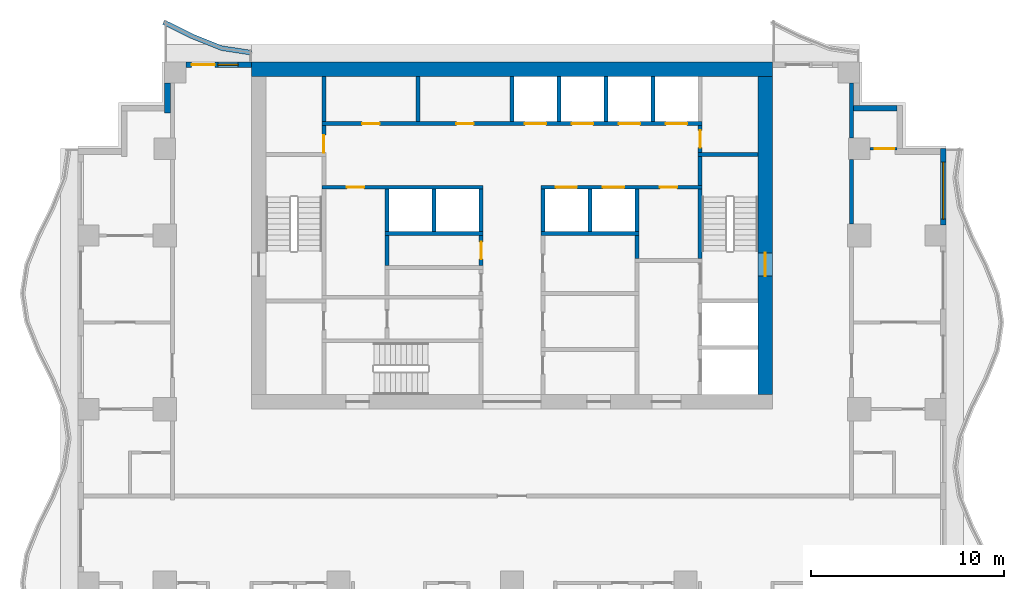
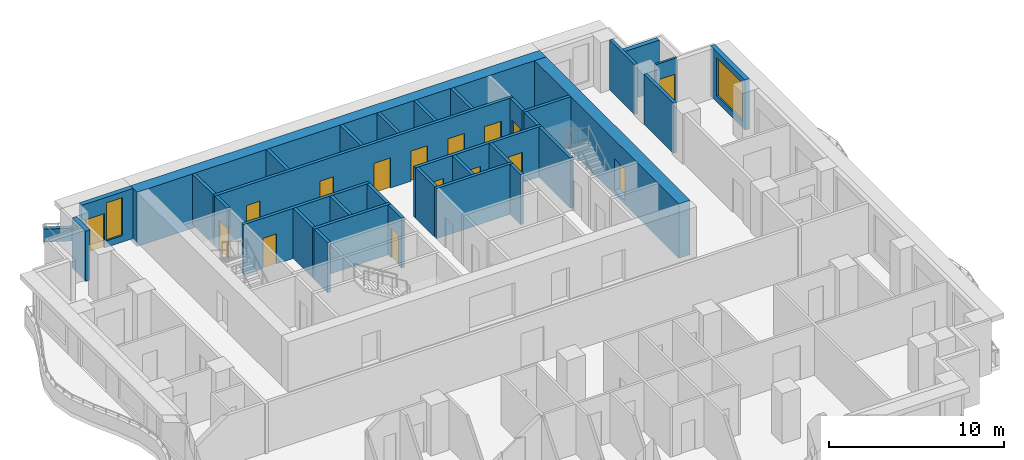
# One storey, part 5 of 10: 35 walls, 16 doors, 2 windows, 18 openings.
"""IFC4 building model written with IfcOpenShell, lengths in metres."""

from ifc_helpers import new_model, si_unit, direction, frame, frame_2d, origin, place, context, subcontext, project, spatial, polyline, rectangle, outline, extrude, material, layer, layer_set, type_object, element, fill, save


model = new_model("IFC4")

# Units and contexts
model_context = context("Model", 3, precision=1e-05, world=origin(), true_north=direction((0.0, 1.0)))
body_context = subcontext(model_context, "Body", "Model", "MODEL_VIEW")
ifc_project = project(units=[si_unit("LENGTHUNIT", "METRE"), si_unit("AREAUNIT", "SQUARE_METRE"), si_unit("VOLUMEUNIT", "CUBIC_METRE"), si_unit("PLANEANGLEUNIT", "RADIAN"), si_unit("MASSUNIT", "GRAM", prefix="KILO")], contexts=[model_context])

# Site, building, storey
site_placement = place(None, origin())
site = spatial("IfcSite", under=ifc_project, at=site_placement, CompositionType="ELEMENT")
building_placement = place(site_placement, origin())
building = spatial("IfcBuilding", under=site, at=building_placement, Name="Orbiselva Terraces", CompositionType="ELEMENT")
storey_placement = place(building_placement, frame((0.0, 0.0, 166.8)))
storey = spatial("IfcBuildingStorey", under=building, at=storey_placement, Name="L42", CompositionType="ELEMENT", Elevation=166.8)

# Wall, opening, door
ifc_material_1 = material(Name="Concrete C80/95", Category="concrete")
ifc_layer_1 = layer(ifc_material_1, 0.75)
ifc_layer_set_1 = layer_set([ifc_layer_1], Name="Concrete C80/95")
wall_type_1 = type_object("IfcWallType", Name="CORE WALL 750", PredefinedType="SHEAR", material=ifc_layer_set_1)
wall_1_placement = place(storey_placement, frame((13.125, 5.25, -0.3), z_axis=(0.0, 0.0, 1.0), x_axis=(0.0, 1.0, 0.0)))
wall_1 = element("IfcWall", 1, at=wall_1_placement, inside=storey, type_object=wall_type_1, Name="Core wall L42 east", PredefinedType="SHEAR", context=body_context, shape_type="SweptSolid", body=[
    extrude(rectangle(XDim=16.5, YDim=0.75, at=frame_2d((8.25, 0.0))), origin(), (0.0, 0.0, 1.0), 3.8),
])
opening_1_placement = place(wall_1_placement, frame((6.15, 0.0, 0.3)))
opening_1 = element("IfcOpeningElement", 2, at=opening_1_placement, cuts=wall_1, Name="Opening DS1200", PredefinedType="OPENING", context=body_context, shape_type="SweptSolid", body=[
    extrude(rectangle(XDim=1.2, YDim=2.2, at=frame_2d((0.6, 1.1))), frame((0.0, 0.385, 0.0), z_axis=(0.0, -1.0, 0.0), x_axis=(1.0, 0.0, 0.0)), (0.0, 0.0, 1.0), 0.77),
])
ifc_material_2 = material(Name="Steel fire door", Category="steel")
door_type_1 = type_object("IfcDoorType", Name="STAIR DOOR 1200", OperationType="NOTDEFINED", PredefinedType="DOOR", material=ifc_material_2)
door_1_placement = place(opening_1_placement, frame((1.2, 0.0, 0.0), z_axis=(0.0, 0.0, 1.0), x_axis=(-1.0, 0.0, 0.0)))
door_1 = element("IfcDoor", 3, at=door_1_placement, inside=storey, type_object=door_type_1, Name="L42 EXIT STAIR S2 door", OperationType="SINGLE_SWING_LEFT", OverallHeight=2.2, OverallWidth=1.2, PredefinedType="DOOR", context=body_context, shape_type="SweptSolid", body=[
    extrude(rectangle(XDim=1.2, YDim=2.2, at=frame_2d((0.6, 1.1))), frame((0.0, 0.025, 0.0), z_axis=(0.0, -1.0, 0.0), x_axis=(1.0, 0.0, 0.0)), (0.0, 0.0, 1.0), 0.05),
])
fill(opening_1, door_1)

# Wall
ifc_layer_2 = layer(ifc_material_1, 0.75)
ifc_layer_set_2 = layer_set([ifc_layer_2], Name="Concrete C80/95")
wall_type_2 = type_object("IfcWallType", Name="CORE WALL 750 EXTERNAL", PredefinedType="SHEAR", material=ifc_layer_set_2)
wall_2_placement = place(storey_placement, frame((13.5, 22.125, -0.3), z_axis=(0.0, 0.0, 1.0), x_axis=(-1.0, 0.0, 0.0)))
element("IfcWall", 4, at=wall_2_placement, inside=storey, type_object=wall_type_2, Name="Core wall L42 north", PredefinedType="SHEAR", context=body_context, shape_type="SweptSolid", body=[
    extrude(rectangle(XDim=27.0, YDim=0.75, at=frame_2d((13.5, 0.0))), origin(), (0.0, 0.0, 1.0), 3.8),
])

# Wall, opening, door
ifc_material_3 = material(Name="Masonry blockwork", Category="masonry")
ifc_layer_3 = layer(ifc_material_3, 0.2)
ifc_layer_set_3 = layer_set([ifc_layer_3], Name="Masonry blockwork")
wall_type_3 = type_object("IfcWallType", Name="CORE-WALL-PARTITION-200", PredefinedType="PARTITIONING", material=ifc_layer_set_3)
wall_3_placement = place(storey_placement, frame((-9.75, 17.8, 0.0), z_axis=(0.0, 0.0, 1.0), x_axis=(0.0, 1.0, 0.0)))
wall_3 = element("IfcWall", 5, at=wall_3_placement, inside=storey, type_object=wall_type_3, Name="L42 core wall 10", PredefinedType="PARTITIONING", context=body_context, shape_type="SweptSolid", body=[
    extrude(rectangle(XDim=1.4, YDim=0.2, at=frame_2d((0.7, 0.0))), origin(), (0.0, 0.0, 1.0), 3.5),
])
opening_2_placement = place(wall_3_placement, origin())
opening_2 = element("IfcOpeningElement", 6, at=opening_2_placement, cuts=wall_3, Name="Opening DR900", PredefinedType="OPENING", context=body_context, shape_type="SweptSolid", body=[
    extrude(rectangle(XDim=0.9, YDim=2.1, at=frame_2d((0.45, 1.05))), frame((0.0, 0.11, 0.0), z_axis=(0.0, -1.0, 0.0), x_axis=(1.0, 0.0, 0.0)), (0.0, 0.0, 1.0), 0.22),
])
door_type_2 = type_object("IfcDoorType", Name="ROOM DOOR 900", OperationType="NOTDEFINED", PredefinedType="DOOR", material=ifc_material_2)
door_2_placement = place(opening_2_placement, origin())
door_2 = element("IfcDoor", 7, at=door_2_placement, inside=storey, type_object=door_type_2, Name="L42 COMMS RISER ROOM door", OperationType="SINGLE_SWING_LEFT", OverallHeight=2.1, OverallWidth=0.9, PredefinedType="DOOR", context=body_context, shape_type="SweptSolid", body=[
    extrude(rectangle(XDim=0.9, YDim=2.1, at=frame_2d((0.45, 1.05))), frame((0.0, 0.025, 0.0), z_axis=(0.0, -1.0, 0.0), x_axis=(1.0, 0.0, 0.0)), (0.0, 0.0, 1.0), 0.05),
])
fill(opening_2, door_2)

# Walls
wall_4_placement = place(storey_placement, frame((-9.75, 19.4, 0.0), z_axis=(0.0, 0.0, 1.0), x_axis=(0.0, 1.0, 0.0)))
element("IfcWall", 8, at=wall_4_placement, inside=storey, type_object=wall_type_3, Name="L42 core wall 12", PredefinedType="PARTITIONING", context=body_context, shape_type="SweptSolid", body=[
    extrude(rectangle(XDim=2.35, YDim=0.2, at=frame_2d((1.175, 0.0))), origin(), (0.0, 0.0, 1.0), 3.5),
])
wall_5_placement = place(storey_placement, frame((-6.475, 11.95, 0.0), z_axis=(0.0, 0.0, 1.0), x_axis=(0.0, 1.0, 0.0)))
element("IfcWall", 9, at=wall_5_placement, inside=storey, type_object=wall_type_3, Name="L42 core wall 16", PredefinedType="PARTITIONING", context=body_context, shape_type="SweptSolid", body=[
    extrude(rectangle(XDim=1.55, YDim=0.2, at=frame_2d((0.775, 0.0))), origin(), (0.0, 0.0, 1.0), 3.5),
])
wall_6_placement = place(storey_placement, frame((-4.875, 19.4, 0.0), z_axis=(0.0, 0.0, 1.0), x_axis=(0.0, 1.0, 0.0)))
element("IfcWall", 10, at=wall_6_placement, inside=storey, type_object=wall_type_3, Name="L42 core wall 19", PredefinedType="PARTITIONING", context=body_context, shape_type="SweptSolid", body=[
    extrude(rectangle(XDim=2.35, YDim=0.2, at=frame_2d((1.175, 0.0))), origin(), (0.0, 0.0, 1.0), 3.5),
])

# Wall, opening, door
wall_7_placement = place(storey_placement, frame((-1.6, 11.95, 0.0), z_axis=(0.0, 0.0, 1.0), x_axis=(0.0, 1.0, 0.0)))
wall_7 = element("IfcWall", 11, at=wall_7_placement, inside=storey, type_object=wall_type_3, Name="L42 core wall 24", PredefinedType="PARTITIONING", context=body_context, shape_type="SweptSolid", body=[
    extrude(rectangle(XDim=1.55, YDim=0.2, at=frame_2d((0.775, 0.0))), origin(), (0.0, 0.0, 1.0), 3.5),
])
opening_3_placement = place(wall_7_placement, frame((0.325, 0.0, 0.0)))
opening_3 = element("IfcOpeningElement", 12, at=opening_3_placement, cuts=wall_7, Name="Opening DR900", PredefinedType="OPENING", context=body_context, shape_type="SweptSolid", body=[
    extrude(rectangle(XDim=0.9, YDim=2.1, at=frame_2d((0.45, 1.05))), frame((0.0, 0.11, 0.0), z_axis=(0.0, -1.0, 0.0), x_axis=(1.0, 0.0, 0.0)), (0.0, 0.0, 1.0), 0.22),
])
door_3_placement = place(opening_3_placement, origin())
door_3 = element("IfcDoor", 13, at=door_3_placement, inside=storey, type_object=door_type_2, Name="L42 LINEN STORE door", OperationType="SINGLE_SWING_LEFT", OverallHeight=2.1, OverallWidth=0.9, PredefinedType="DOOR", context=body_context, shape_type="SweptSolid", body=[
    extrude(rectangle(XDim=0.9, YDim=2.1, at=frame_2d((0.45, 1.05))), frame((0.0, 0.025, 0.0), z_axis=(0.0, -1.0, 0.0), x_axis=(1.0, 0.0, 0.0)), (0.0, 0.0, 1.0), 0.05),
])
fill(opening_3, door_3)

# Wall
wall_8_placement = place(storey_placement, frame((6.475, 12.3, 0.0), z_axis=(0.0, 0.0, 1.0), x_axis=(0.0, 1.0, 0.0)))
element("IfcWall", 14, at=wall_8_placement, inside=storey, type_object=wall_type_3, Name="L42 core wall 42", PredefinedType="PARTITIONING", context=body_context, shape_type="SweptSolid", body=[
    extrude(rectangle(XDim=1.2, YDim=0.2, at=frame_2d((0.6, 0.0))), origin(), (0.0, 0.0, 1.0), 3.5),
])

# Wall, opening, door
wall_9_placement = place(storey_placement, frame((9.75, 19.2, 0.0), z_axis=(0.0, 0.0, 1.0), x_axis=(0.0, -1.0, 0.0)))
wall_9 = element("IfcWall", 15, at=wall_9_placement, inside=storey, type_object=wall_type_3, Name="L42 core wall 53", PredefinedType="PARTITIONING", context=body_context, shape_type="SweptSolid", body=[
    extrude(rectangle(XDim=1.4, YDim=0.2, at=frame_2d((0.7, 0.0))), origin(), (0.0, 0.0, 1.0), 3.5),
])
opening_4_placement = place(wall_9_placement, frame((0.25, 0.0, 0.0)))
opening_4 = element("IfcOpeningElement", 16, at=opening_4_placement, cuts=wall_9, Name="Opening DR900", PredefinedType="OPENING", context=body_context, shape_type="SweptSolid", body=[
    extrude(rectangle(XDim=0.9, YDim=2.1, at=frame_2d((0.45, 1.05))), frame((0.0, 0.11, 0.0), z_axis=(0.0, -1.0, 0.0), x_axis=(1.0, 0.0, 0.0)), (0.0, 0.0, 1.0), 0.22),
])
door_4_placement = place(opening_4_placement, origin())
door_4 = element("IfcDoor", 17, at=door_4_placement, inside=storey, type_object=door_type_2, Name="L42 ELECTRICAL RISER ROOM door", OperationType="SINGLE_SWING_RIGHT", OverallHeight=2.1, OverallWidth=0.9, PredefinedType="DOOR", context=body_context, shape_type="SweptSolid", body=[
    extrude(rectangle(XDim=0.9, YDim=2.1, at=frame_2d((0.45, 1.05))), frame((0.0, 0.025, 0.0), z_axis=(0.0, -1.0, 0.0), x_axis=(1.0, 0.0, 0.0)), (0.0, 0.0, 1.0), 0.05),
])
fill(opening_4, door_4)

# Walls
ifc_material_4 = material(Name="Concrete C40/50", Category="concrete")
ifc_layer_4 = layer(ifc_material_4, 0.2)
ifc_layer_set_4 = layer_set([ifc_layer_4], Name="Concrete C40/50")
wall_type_4 = type_object("IfcWallType", Name="CORE-WALL-SHAFT-200", PredefinedType="PARTITIONING", material=ifc_layer_set_4)
for number, where, z_axis, x_axis, name in (
    (18, (-6.475, 13.7, 0.0), (0.0, 0.0, 1.0), (0.0, 1.0, 0.0), "L42 core wall 18"),
    (19, (-4.0375, 13.7, 0.0), (0.0, 0.0, 1.0), (0.0, 1.0, 0.0), "L42 core wall 20"),
    (20, (-1.6, 13.7, 0.0), (0.0, 0.0, 1.0), (0.0, 1.0, 0.0), "L42 core wall 25"),
):
    element("IfcWall", number, at=place(storey_placement, frame(where, z_axis=z_axis, x_axis=x_axis)), inside=storey, type_object=wall_type_4, Name=name, PredefinedType="PARTITIONING", context=body_context, shape_type="SweptSolid", body=[
        extrude(rectangle(XDim=2.2, YDim=0.2, at=frame_2d((1.1, 0.0))), origin(), (0.0, 0.0, 1.0), 3.5),
    ])
wall_10_placement = place(storey_placement, frame((0.0, 19.4, 0.0), z_axis=(0.0, 0.0, 1.0), x_axis=(0.0, 1.0, 0.0)))
element("IfcWall", 21, at=wall_10_placement, inside=storey, type_object=wall_type_4, Name="L42 core wall 26", PredefinedType="PARTITIONING", context=body_context, shape_type="SweptSolid", body=[
    extrude(rectangle(XDim=2.35, YDim=0.2, at=frame_2d((1.175, 0.0))), origin(), (0.0, 0.0, 1.0), 3.5),
])
wall_11_placement = place(storey_placement, frame((1.6, 13.7, 0.0), z_axis=(0.0, 0.0, 1.0), x_axis=(0.0, 1.0, 0.0)))
element("IfcWall", 22, at=wall_11_placement, inside=storey, type_object=wall_type_4, Name="L42 core wall 33", PredefinedType="PARTITIONING", context=body_context, shape_type="SweptSolid", body=[
    extrude(rectangle(XDim=2.2, YDim=0.2, at=frame_2d((1.1, 0.0))), origin(), (0.0, 0.0, 1.0), 3.5),
])
wall_12_placement = place(storey_placement, frame((2.4375, 19.4, 0.0), z_axis=(0.0, 0.0, 1.0), x_axis=(0.0, 1.0, 0.0)))
element("IfcWall", 23, at=wall_12_placement, inside=storey, type_object=wall_type_4, Name="L42 core wall 35", PredefinedType="PARTITIONING", context=body_context, shape_type="SweptSolid", body=[
    extrude(rectangle(XDim=2.35, YDim=0.2, at=frame_2d((1.175, 0.0))), origin(), (0.0, 0.0, 1.0), 3.5),
])
wall_13_placement = place(storey_placement, frame((4.0375, 13.7, 0.0), z_axis=(0.0, 0.0, 1.0), x_axis=(0.0, 1.0, 0.0)))
element("IfcWall", 24, at=wall_13_placement, inside=storey, type_object=wall_type_4, Name="L42 core wall 36", PredefinedType="PARTITIONING", context=body_context, shape_type="SweptSolid", body=[
    extrude(rectangle(XDim=2.2, YDim=0.2, at=frame_2d((1.1, 0.0))), origin(), (0.0, 0.0, 1.0), 3.5),
])
wall_14_placement = place(storey_placement, frame((4.875, 19.4, 0.0), z_axis=(0.0, 0.0, 1.0), x_axis=(0.0, 1.0, 0.0)))
element("IfcWall", 25, at=wall_14_placement, inside=storey, type_object=wall_type_4, Name="L42 core wall 37", PredefinedType="PARTITIONING", context=body_context, shape_type="SweptSolid", body=[
    extrude(rectangle(XDim=2.35, YDim=0.2, at=frame_2d((1.175, 0.0))), origin(), (0.0, 0.0, 1.0), 3.5),
])
wall_15_placement = place(storey_placement, frame((6.475, 13.7, 0.0), z_axis=(0.0, 0.0, 1.0), x_axis=(0.0, 1.0, 0.0)))
element("IfcWall", 26, at=wall_15_placement, inside=storey, type_object=wall_type_4, Name="L42 core wall 43", PredefinedType="PARTITIONING", context=body_context, shape_type="SweptSolid", body=[
    extrude(rectangle(XDim=2.2, YDim=0.2, at=frame_2d((1.1, 0.0))), origin(), (0.0, 0.0, 1.0), 3.5),
])
wall_16_placement = place(storey_placement, frame((7.3125, 19.4, 0.0), z_axis=(0.0, 0.0, 1.0), x_axis=(0.0, 1.0, 0.0)))
element("IfcWall", 27, at=wall_16_placement, inside=storey, type_object=wall_type_4, Name="L42 core wall 44", PredefinedType="PARTITIONING", context=body_context, shape_type="SweptSolid", body=[
    extrude(rectangle(XDim=2.35, YDim=0.2, at=frame_2d((1.175, 0.0))), origin(), (0.0, 0.0, 1.0), 3.5),
])

# Wall, opening, door
ifc_material_5 = material(Name="Concrete C60/75", Category="concrete")
ifc_layer_5 = layer(ifc_material_5, 0.2)
ifc_layer_set_5 = layer_set([ifc_layer_5], Name="Concrete C60/75")
wall_type_5 = type_object("IfcWallType", Name="CORE-WALL-SHEAR-200", PredefinedType="SHEAR", material=ifc_layer_set_5)
wall_17_placement = place(storey_placement, frame((-1.5, 16.0, 0.0), z_axis=(0.0, 0.0, 1.0), x_axis=(-1.0, 0.0, 0.0)))
wall_17 = element("IfcWall", 28, at=wall_17_placement, inside=storey, type_object=wall_type_5, Name="L42 core wall 08", PredefinedType="SHEAR", context=body_context, shape_type="SweptSolid", body=[
    extrude(rectangle(XDim=8.35, YDim=0.2, at=frame_2d((4.175, 0.0))), origin(), (0.0, 0.0, 1.0), 3.5),
])
opening_5_placement = place(wall_17_placement, frame((6.1625, 0.0, 0.0)))
opening_5 = element("IfcOpeningElement", 29, at=opening_5_placement, cuts=wall_17, Name="Opening DR900", PredefinedType="OPENING", context=body_context, shape_type="SweptSolid", body=[
    extrude(rectangle(XDim=0.9, YDim=2.1, at=frame_2d((0.45, 1.05))), frame((0.0, 0.11, 0.0), z_axis=(0.0, -1.0, 0.0), x_axis=(1.0, 0.0, 0.0)), (0.0, 0.0, 1.0), 0.22),
])
door_5_placement = place(opening_5_placement, origin())
door_5 = element("IfcDoor", 30, at=door_5_placement, inside=storey, type_object=door_type_2, Name="L42 GUEST PANTRY door", OperationType="SINGLE_SWING_RIGHT", OverallHeight=2.1, OverallWidth=0.9, PredefinedType="DOOR", context=body_context, shape_type="SweptSolid", body=[
    extrude(rectangle(XDim=0.9, YDim=2.1, at=frame_2d((0.45, 1.05))), frame((0.0, 0.025, 0.0), z_axis=(0.0, -1.0, 0.0), x_axis=(1.0, 0.0, 0.0)), (0.0, 0.0, 1.0), 0.05),
])
fill(opening_5, door_5)

# Wall, openings, doors
wall_18_placement = place(storey_placement, frame((-9.85, 19.3, 0.0), z_axis=(0.0, 0.0, 1.0), x_axis=(1.0, 0.0, 0.0)))
wall_18 = element("IfcWall", 31, at=wall_18_placement, inside=storey, type_object=wall_type_5, Name="L42 core wall 11", PredefinedType="SHEAR", context=body_context, shape_type="SweptSolid", body=[
    extrude(rectangle(XDim=19.7, YDim=0.2, at=frame_2d((9.85, 0.0))), origin(), (0.0, 0.0, 1.0), 3.5),
])
opening_6_placement = place(wall_18_placement, frame((10.51875, 0.0, 0.0)))
opening_6 = element("IfcOpeningElement", 32, at=opening_6_placement, cuts=wall_18, Name="Opening LD-HR1", PredefinedType="OPENING", context=body_context, shape_type="SweptSolid", body=[
    extrude(rectangle(XDim=1.1, YDim=2.1, at=frame_2d((0.55, 1.05))), frame((0.0, 0.11, 0.0), z_axis=(0.0, -1.0, 0.0), x_axis=(1.0, 0.0, 0.0)), (0.0, 0.0, 1.0), 0.22),
])
opening_7_placement = place(wall_18_placement, frame((12.95625, 0.0, 0.0)))
opening_7 = element("IfcOpeningElement", 33, at=opening_7_placement, cuts=wall_18, Name="Opening LD-HR2", PredefinedType="OPENING", context=body_context, shape_type="SweptSolid", body=[
    extrude(rectangle(XDim=1.1, YDim=2.1, at=frame_2d((0.55, 1.05))), frame((0.0, 0.11, 0.0), z_axis=(0.0, -1.0, 0.0), x_axis=(1.0, 0.0, 0.0)), (0.0, 0.0, 1.0), 0.22),
])
opening_8_placement = place(wall_18_placement, frame((15.39375, 0.0, 0.0)))
opening_8 = element("IfcOpeningElement", 34, at=opening_8_placement, cuts=wall_18, Name="Opening LD-HR3", PredefinedType="OPENING", context=body_context, shape_type="SweptSolid", body=[
    extrude(rectangle(XDim=1.1, YDim=2.1, at=frame_2d((0.55, 1.05))), frame((0.0, 0.11, 0.0), z_axis=(0.0, -1.0, 0.0), x_axis=(1.0, 0.0, 0.0)), (0.0, 0.0, 1.0), 0.22),
])
opening_9_placement = place(wall_18_placement, frame((17.83125, 0.0, 0.0)))
opening_9 = element("IfcOpeningElement", 35, at=opening_9_placement, cuts=wall_18, Name="Opening LD-HR4", PredefinedType="OPENING", context=body_context, shape_type="SweptSolid", body=[
    extrude(rectangle(XDim=1.1, YDim=2.1, at=frame_2d((0.55, 1.05))), frame((0.0, 0.11, 0.0), z_axis=(0.0, -1.0, 0.0), x_axis=(1.0, 0.0, 0.0)), (0.0, 0.0, 1.0), 0.22),
])
opening_10_placement = place(wall_18_placement, frame((2.0875, 0.0, 0.0)))
opening_10 = element("IfcOpeningElement", 36, at=opening_10_placement, cuts=wall_18, Name="Opening DR900", PredefinedType="OPENING", context=body_context, shape_type="SweptSolid", body=[
    extrude(rectangle(XDim=0.9, YDim=2.1, at=frame_2d((0.45, 1.05))), frame((0.0, 0.11, 0.0), z_axis=(0.0, -1.0, 0.0), x_axis=(1.0, 0.0, 0.0)), (0.0, 0.0, 1.0), 0.22),
])
opening_11_placement = place(wall_18_placement, frame((6.9625, 0.0, 0.0)))
opening_11 = element("IfcOpeningElement", 37, at=opening_11_placement, cuts=wall_18, Name="Opening DR900", PredefinedType="OPENING", context=body_context, shape_type="SweptSolid", body=[
    extrude(rectangle(XDim=0.9, YDim=2.1, at=frame_2d((0.45, 1.05))), frame((0.0, 0.11, 0.0), z_axis=(0.0, -1.0, 0.0), x_axis=(1.0, 0.0, 0.0)), (0.0, 0.0, 1.0), 0.22),
])
ifc_material_6 = material(Name="Stainless steel landing door", Category="steel")
door_type_3 = type_object("IfcDoorType", Name="LANDING DOOR 1100", OperationType="SLIDING_TO_LEFT", PredefinedType="DOOR", material=ifc_material_6)
door_6_placement = place(opening_6_placement, origin())
door_6 = element("IfcDoor", 38, at=door_6_placement, inside=storey, type_object=door_type_3, Name="L42 landing door HR1", OperationType="SLIDING_TO_RIGHT", OverallHeight=2.1, OverallWidth=1.1, PredefinedType="DOOR", context=body_context, shape_type="SweptSolid", body=[
    extrude(rectangle(XDim=1.1, YDim=2.1, at=frame_2d((0.55, 1.05))), frame((0.0, 0.025, 0.0), z_axis=(0.0, -1.0, 0.0), x_axis=(1.0, 0.0, 0.0)), (0.0, 0.0, 1.0), 0.05),
])
fill(opening_6, door_6)
door_7_placement = place(opening_7_placement, origin())
door_7 = element("IfcDoor", 39, at=door_7_placement, inside=storey, type_object=door_type_3, Name="L42 landing door HR2", OperationType="SLIDING_TO_RIGHT", OverallHeight=2.1, OverallWidth=1.1, PredefinedType="DOOR", context=body_context, shape_type="SweptSolid", body=[
    extrude(rectangle(XDim=1.1, YDim=2.1, at=frame_2d((0.55, 1.05))), frame((0.0, 0.025, 0.0), z_axis=(0.0, -1.0, 0.0), x_axis=(1.0, 0.0, 0.0)), (0.0, 0.0, 1.0), 0.05),
])
fill(opening_7, door_7)
door_8_placement = place(opening_8_placement, origin())
door_8 = element("IfcDoor", 40, at=door_8_placement, inside=storey, type_object=door_type_3, Name="L42 landing door HR3", OperationType="SLIDING_TO_RIGHT", OverallHeight=2.1, OverallWidth=1.1, PredefinedType="DOOR", context=body_context, shape_type="SweptSolid", body=[
    extrude(rectangle(XDim=1.1, YDim=2.1, at=frame_2d((0.55, 1.05))), frame((0.0, 0.025, 0.0), z_axis=(0.0, -1.0, 0.0), x_axis=(1.0, 0.0, 0.0)), (0.0, 0.0, 1.0), 0.05),
])
fill(opening_8, door_8)
door_9_placement = place(opening_9_placement, origin())
door_9 = element("IfcDoor", 41, at=door_9_placement, inside=storey, type_object=door_type_3, Name="L42 landing door HR4", OperationType="SLIDING_TO_RIGHT", OverallHeight=2.1, OverallWidth=1.1, PredefinedType="DOOR", context=body_context, shape_type="SweptSolid", body=[
    extrude(rectangle(XDim=1.1, YDim=2.1, at=frame_2d((0.55, 1.05))), frame((0.0, 0.025, 0.0), z_axis=(0.0, -1.0, 0.0), x_axis=(1.0, 0.0, 0.0)), (0.0, 0.0, 1.0), 0.05),
])
fill(opening_9, door_9)
door_10_placement = place(opening_10_placement, origin())
door_10 = element("IfcDoor", 42, at=door_10_placement, inside=storey, type_object=door_type_2, Name="L42 PANTRY door", OperationType="SINGLE_SWING_LEFT", OverallHeight=2.1, OverallWidth=0.9, PredefinedType="DOOR", context=body_context, shape_type="SweptSolid", body=[
    extrude(rectangle(XDim=0.9, YDim=2.1, at=frame_2d((0.45, 1.05))), frame((0.0, 0.025, 0.0), z_axis=(0.0, -1.0, 0.0), x_axis=(1.0, 0.0, 0.0)), (0.0, 0.0, 1.0), 0.05),
])
fill(opening_10, door_10)
door_11_placement = place(opening_11_placement, origin())
door_11 = element("IfcDoor", 43, at=door_11_placement, inside=storey, type_object=door_type_2, Name="L42 STAFF LOUNGE door", OperationType="SINGLE_SWING_LEFT", OverallHeight=2.1, OverallWidth=0.9, PredefinedType="DOOR", context=body_context, shape_type="SweptSolid", body=[
    extrude(rectangle(XDim=0.9, YDim=2.1, at=frame_2d((0.45, 1.05))), frame((0.0, 0.025, 0.0), z_axis=(0.0, -1.0, 0.0), x_axis=(1.0, 0.0, 0.0)), (0.0, 0.0, 1.0), 0.05),
])
fill(opening_11, door_11)

# Walls
for number, where, z_axis, x_axis, name in (
    (44, (-6.575, 13.6, 0.0), (0.0, 0.0, 1.0), (1.0, 0.0, 0.0), "L42 core wall 17"),
    (45, (1.5, 13.6, 0.0), (0.0, 0.0, 1.0), (1.0, 0.0, 0.0), "L42 core wall 32"),
):
    element("IfcWall", number, at=place(storey_placement, frame(where, z_axis=z_axis, x_axis=x_axis)), inside=storey, type_object=wall_type_5, Name=name, PredefinedType="SHEAR", context=body_context, shape_type="SweptSolid", body=[
        extrude(rectangle(XDim=5.075, YDim=0.2, at=frame_2d((2.5375, 0.0))), origin(), (0.0, 0.0, 1.0), 3.5),
    ])

# Wall, openings, doors
wall_19_placement = place(storey_placement, frame((9.85, 16.0, 0.0), z_axis=(0.0, 0.0, 1.0), x_axis=(-1.0, 0.0, 0.0)))
wall_19 = element("IfcWall", 46, at=wall_19_placement, inside=storey, type_object=wall_type_5, Name="L42 core wall 34", PredefinedType="SHEAR", context=body_context, shape_type="SweptSolid", body=[
    extrude(rectangle(XDim=8.35, YDim=0.2, at=frame_2d((4.175, 0.0))), origin(), (0.0, 0.0, 1.0), 3.5),
])
opening_12_placement = place(wall_19_placement, frame((6.48125, 0.0, 0.0)))
opening_12 = element("IfcOpeningElement", 47, at=opening_12_placement, cuts=wall_19, Name="Opening LD-HR5", PredefinedType="OPENING", context=body_context, shape_type="SweptSolid", body=[
    extrude(rectangle(XDim=1.1, YDim=2.1, at=frame_2d((0.55, 1.05))), frame((0.0, 0.11, 0.0), z_axis=(0.0, -1.0, 0.0), x_axis=(1.0, 0.0, 0.0)), (0.0, 0.0, 1.0), 0.22),
])
opening_13_placement = place(wall_19_placement, frame((4.04375, 0.0, 0.0)))
opening_13 = element("IfcOpeningElement", 48, at=opening_13_placement, cuts=wall_19, Name="Opening LD-HR6", PredefinedType="OPENING", context=body_context, shape_type="SweptSolid", body=[
    extrude(rectangle(XDim=1.1, YDim=2.1, at=frame_2d((0.55, 1.05))), frame((0.0, 0.11, 0.0), z_axis=(0.0, -1.0, 0.0), x_axis=(1.0, 0.0, 0.0)), (0.0, 0.0, 1.0), 0.22),
])
opening_14_placement = place(wall_19_placement, frame((1.2875, 0.0, 0.0)))
opening_14 = element("IfcOpeningElement", 49, at=opening_14_placement, cuts=wall_19, Name="Opening DR900", PredefinedType="OPENING", context=body_context, shape_type="SweptSolid", body=[
    extrude(rectangle(XDim=0.9, YDim=2.1, at=frame_2d((0.45, 1.05))), frame((0.0, 0.11, 0.0), z_axis=(0.0, -1.0, 0.0), x_axis=(1.0, 0.0, 0.0)), (0.0, 0.0, 1.0), 0.22),
])
door_12_placement = place(opening_12_placement, origin())
door_12 = element("IfcDoor", 50, at=door_12_placement, inside=storey, type_object=door_type_3, Name="L42 landing door HR5", OperationType="SLIDING_TO_RIGHT", OverallHeight=2.1, OverallWidth=1.1, PredefinedType="DOOR", context=body_context, shape_type="SweptSolid", body=[
    extrude(rectangle(XDim=1.1, YDim=2.1, at=frame_2d((0.55, 1.05))), frame((0.0, 0.025, 0.0), z_axis=(0.0, -1.0, 0.0), x_axis=(1.0, 0.0, 0.0)), (0.0, 0.0, 1.0), 0.05),
])
fill(opening_12, door_12)
door_13_placement = place(opening_13_placement, origin())
door_13 = element("IfcDoor", 51, at=door_13_placement, inside=storey, type_object=door_type_3, Name="L42 landing door HR6", OperationType="SLIDING_TO_RIGHT", OverallHeight=2.1, OverallWidth=1.1, PredefinedType="DOOR", context=body_context, shape_type="SweptSolid", body=[
    extrude(rectangle(XDim=1.1, YDim=2.1, at=frame_2d((0.55, 1.05))), frame((0.0, 0.025, 0.0), z_axis=(0.0, -1.0, 0.0), x_axis=(1.0, 0.0, 0.0)), (0.0, 0.0, 1.0), 0.05),
])
fill(opening_13, door_13)
door_14_placement = place(opening_14_placement, origin())
door_14 = element("IfcDoor", 52, at=door_14_placement, inside=storey, type_object=door_type_2, Name="L42 PIPE RISER ROOM door", OperationType="SINGLE_SWING_LEFT", OverallHeight=2.1, OverallWidth=0.9, PredefinedType="DOOR", context=body_context, shape_type="SweptSolid", body=[
    extrude(rectangle(XDim=0.9, YDim=2.1, at=frame_2d((0.45, 1.05))), frame((0.0, 0.025, 0.0), z_axis=(0.0, -1.0, 0.0), x_axis=(1.0, 0.0, 0.0)), (0.0, 0.0, 1.0), 0.05),
])
fill(opening_14, door_14)

# Walls
wall_20_placement = place(storey_placement, frame((9.75, 12.3, 0.0), z_axis=(0.0, 0.0, 1.0), x_axis=(0.0, 1.0, 0.0)))
element("IfcWall", 53, at=wall_20_placement, inside=storey, type_object=wall_type_5, Name="L42 core wall 50", PredefinedType="SHEAR", context=body_context, shape_type="SweptSolid", body=[
    extrude(rectangle(XDim=3.6, YDim=0.2, at=frame_2d((1.8, 0.0))), origin(), (0.0, 0.0, 1.0), 3.5),
])
wall_21_placement = place(storey_placement, frame((9.75, 16.1, 0.0), z_axis=(0.0, 0.0, 1.0), x_axis=(0.0, 1.0, 0.0)))
element("IfcWall", 54, at=wall_21_placement, inside=storey, type_object=wall_type_5, Name="L42 core wall 51", PredefinedType="SHEAR", context=body_context, shape_type="SweptSolid", body=[
    extrude(rectangle(XDim=1.5, YDim=0.2, at=frame_2d((0.75, 0.0))), origin(), (0.0, 0.0, 1.0), 3.5),
])
wall_22_placement = place(storey_placement, frame((9.65, 17.7, 0.0), z_axis=(0.0, 0.0, 1.0), x_axis=(1.0, 0.0, 0.0)))
element("IfcWall", 55, at=wall_22_placement, inside=storey, type_object=wall_type_5, Name="L42 core wall 52", PredefinedType="SHEAR", context=body_context, shape_type="SweptSolid", body=[
    extrude(rectangle(XDim=3.1, YDim=0.2, at=frame_2d((1.55, 0.0))), origin(), (0.0, 0.0, 1.0), 3.5),
])
ifc_layer_6 = layer(ifc_material_4, 0.25)
ifc_layer_set_6 = layer_set([ifc_layer_6], Name="Concrete C40/50")
wall_type_6 = type_object("IfcWallType", Name="ENV-PLANTER-250x900", PredefinedType="USERDEFINED", material=ifc_layer_set_6)
wall_23_placement = place(storey_placement, origin())
element("IfcWall", 56, at=wall_23_placement, inside=storey, type_object=wall_type_6, Name="Balcony planter L42 NW", ObjectType="PLANTER", PredefinedType="USERDEFINED", context=body_context, shape_type="SweptSolid", body=[
    extrude(outline(polyline([(-13.5, 23.1), (-15.0, 23.32918), (-16.5, 23.92918), (-18.0, 24.67082), (-18.110803, 24.446716), (-16.601983, 23.700715), (-15.066166, 23.086388), (-13.537758, 22.852868), (-13.5, 23.1)])), origin(), (0.0, 0.0, 1.0), 0.9),
])

# Wall, opening, window
ifc_material_7 = material(Name="Terracotta cladding on masonry backing", Category="masonry")
ifc_layer_7 = layer(ifc_material_7, 0.3)
ifc_layer_set_7 = layer_set([ifc_layer_7], Name="Terracotta cladding on masonry backing")
wall_type_7 = type_object("IfcWallType", Name="ENV-WALL-TERRACOTTA-300", PredefinedType="SOLIDWALL", material=ifc_layer_set_7)
wall_24_placement = place(storey_placement, frame((22.35, 18.0, 0.0), z_axis=(0.0, 0.0, 1.0), x_axis=(0.0, -1.0, 0.0)))
wall_24 = element("IfcWall", 57, at=wall_24_placement, inside=storey, type_object=wall_type_7, Name="Facade wall L42 E", PredefinedType="SOLIDWALL", context=body_context, shape_type="SweptSolid", body=[
    extrude(rectangle(XDim=3.95, YDim=0.3, at=frame_2d((1.975, 0.0))), origin(), (0.0, 0.0, 1.0), 3.5),
])
opening_15_placement = place(wall_24_placement, frame((0.7, 0.0, 0.45)))
opening_15 = element("IfcOpeningElement", 58, at=opening_15_placement, cuts=wall_24, Name="Opening WN12", PredefinedType="OPENING", context=body_context, shape_type="SweptSolid", body=[
    extrude(rectangle(XDim=2.95, YDim=2.65, at=frame_2d((1.475, 1.325))), frame((0.0, 0.16, 0.0), z_axis=(0.0, -1.0, 0.0), x_axis=(1.0, 0.0, 0.0)), (0.0, 0.0, 1.0), 0.32),
])
ifc_material_8 = material(Name="Clear low-e glazing in aluminium frame", Category="aluminium")
window_type_1 = type_object("IfcWindowType", Name="WINDOW 2950 X 2650 S450", PartitioningType="TRIPLE_PANEL_VERTICAL", PredefinedType="WINDOW", material=ifc_material_8)
window_1_placement = place(opening_15_placement, origin())
window_1 = element("IfcWindow", 59, at=window_1_placement, inside=storey, type_object=window_type_1, Name="Window L42 E", OverallHeight=2.65, OverallWidth=2.95, PartitioningType="SINGLE_PANEL", PredefinedType="WINDOW", context=body_context, shape_type="SweptSolid", body=[
    extrude(rectangle(XDim=2.95, YDim=2.65, at=frame_2d((1.475, 1.325))), frame((0.0, 0.03, 0.0), z_axis=(0.0, -1.0, 0.0), x_axis=(1.0, 0.0, 0.0)), (0.0, 0.0, 1.0), 0.06),
])
fill(opening_15, window_1)

# Wall
wall_25_placement = place(storey_placement, frame((17.6, 20.1, 0.0), z_axis=(0.0, 0.0, 1.0), x_axis=(1.0, 0.0, 0.0)))
element("IfcWall", 60, at=wall_25_placement, inside=storey, type_object=wall_type_7, Name="Facade wall L42 STEP", PredefinedType="SOLIDWALL", context=body_context, shape_type="SweptSolid", body=[
    extrude(rectangle(XDim=2.35, YDim=0.3, at=frame_2d((1.175, 0.0))), origin(), (0.0, 0.0, 1.0), 3.5),
])

# Wall, openings, door, window
wall_26_placement = place(storey_placement, frame((-16.9, 22.35, 0.0), z_axis=(0.0, 0.0, 1.0), x_axis=(1.0, 0.0, 0.0)))
wall_26 = element("IfcWall", 61, at=wall_26_placement, inside=storey, type_object=wall_type_7, Name="Facade wall L42 NW", PredefinedType="SOLIDWALL", context=body_context, shape_type="SweptSolid", body=[
    extrude(rectangle(XDim=3.4, YDim=0.3, at=frame_2d((1.7, 0.0))), origin(), (0.0, 0.0, 1.0), 3.5),
])
opening_16_placement = place(wall_26_placement, frame((1.65, 0.0, 0.45)))
opening_16 = element("IfcOpeningElement", 62, at=opening_16_placement, cuts=wall_26, Name="Opening WN13", PredefinedType="OPENING", context=body_context, shape_type="SweptSolid", body=[
    extrude(rectangle(XDim=1.05, YDim=2.65, at=frame_2d((0.525, 1.325))), frame((0.0, 0.16, 0.0), z_axis=(0.0, -1.0, 0.0), x_axis=(1.0, 0.0, 0.0)), (0.0, 0.0, 1.0), 0.32),
])
opening_17_placement = place(wall_26_placement, frame((0.3, 0.0, 0.0)))
opening_17 = element("IfcOpeningElement", 63, at=opening_17_placement, cuts=wall_26, Name="Opening Z3-E-E08", PredefinedType="OPENING", context=body_context, shape_type="SweptSolid", body=[
    extrude(rectangle(XDim=1.2, YDim=2.4, at=frame_2d((0.6, 1.2))), frame((0.0, 0.16, 0.0), z_axis=(0.0, -1.0, 0.0), x_axis=(1.0, 0.0, 0.0)), (0.0, 0.0, 1.0), 0.32),
])
door_type_4 = type_object("IfcDoorType", Name="BALCONY DOOR 1200 X 2400", OperationType="DOUBLE_DOOR_SLIDING", PredefinedType="DOOR", material=ifc_material_8)
door_15_placement = place(opening_17_placement, origin())
door_15 = element("IfcDoor", 64, at=door_15_placement, inside=storey, type_object=door_type_4, Name="Z3-E-E08", OperationType="SINGLE_SWING_LEFT", OverallHeight=2.4, OverallWidth=1.2, PredefinedType="DOOR", context=body_context, shape_type="SweptSolid", body=[
    extrude(rectangle(XDim=1.2, YDim=2.4, at=frame_2d((0.6, 1.2))), frame((0.0, 0.025, 0.0), z_axis=(0.0, -1.0, 0.0), x_axis=(1.0, 0.0, 0.0)), (0.0, 0.0, 1.0), 0.05),
])
fill(opening_17, door_15)
window_type_2 = type_object("IfcWindowType", Name="WINDOW 1050 X 2650 S450", PartitioningType="TRIPLE_PANEL_VERTICAL", PredefinedType="WINDOW", material=ifc_material_8)
window_2_placement = place(opening_16_placement, origin())
window_2 = element("IfcWindow", 65, at=window_2_placement, inside=storey, type_object=window_type_2, Name="Window L42 NW", OverallHeight=2.65, OverallWidth=1.05, PartitioningType="SINGLE_PANEL", PredefinedType="WINDOW", context=body_context, shape_type="SweptSolid", body=[
    extrude(rectangle(XDim=1.05, YDim=2.65, at=frame_2d((0.525, 1.325))), frame((0.0, 0.03, 0.0), z_axis=(0.0, -1.0, 0.0), x_axis=(1.0, 0.0, 0.0)), (0.0, 0.0, 1.0), 0.06),
])
fill(opening_16, window_2)

# Walls
wall_27_placement = place(storey_placement, frame((-17.85, 19.85, 0.0), z_axis=(0.0, 0.0, 1.0), x_axis=(0.0, 1.0, 0.0)))
element("IfcWall", 66, at=wall_27_placement, inside=storey, type_object=wall_type_7, Name="Facade wall L42 STEP", PredefinedType="SOLIDWALL", context=body_context, shape_type="SweptSolid", body=[
    extrude(rectangle(XDim=1.55, YDim=0.3, at=frame_2d((0.775, 0.0))), origin(), (0.0, 0.0, 1.0), 3.5),
])
ifc_material_9 = material(Name="Plasterboard on steel stud partition", Category="steel")
ifc_layer_8 = layer(ifc_material_9, 0.2)
ifc_layer_set_8 = layer_set([ifc_layer_8], Name="Plasterboard on steel stud partition")
wall_type_8 = type_object("IfcWallType", Name="UNIT-ENTRANCE-WALL-200", PredefinedType="PARTITIONING", material=ifc_layer_set_8)
wall_28_placement = place(storey_placement, frame((17.6, 14.1, 0.0), z_axis=(0.0, 0.0, 1.0), x_axis=(0.0, 1.0, 0.0)))
element("IfcWall", 67, at=wall_28_placement, inside=storey, type_object=wall_type_8, Name="PARTITION L42-055", PredefinedType="PARTITIONING", context=body_context, shape_type="SweptSolid", body=[
    extrude(rectangle(XDim=3.35, YDim=0.2, at=frame_2d((1.675, 0.0))), origin(), (0.0, 0.0, 1.0), 3.5),
])
wall_29_placement = place(storey_placement, frame((17.6, 18.55, 0.0), z_axis=(0.0, 0.0, 1.0), x_axis=(0.0, 1.0, 0.0)))
element("IfcWall", 68, at=wall_29_placement, inside=storey, type_object=wall_type_8, Name="PARTITION L42-056", PredefinedType="PARTITIONING", context=body_context, shape_type="SweptSolid", body=[
    extrude(rectangle(XDim=2.85, YDim=0.2, at=frame_2d((1.425, 0.0))), origin(), (0.0, 0.0, 1.0), 3.5),
])

# Wall, opening, door
ifc_layer_9 = layer(ifc_material_9, 0.15)
ifc_layer_set_9 = layer_set([ifc_layer_9], Name="Plasterboard on steel stud partition")
wall_type_9 = type_object("IfcWallType", Name="UNIT-PARTITION-150", PredefinedType="PARTITIONING", material=ifc_layer_set_9)
wall_30_placement = place(storey_placement, frame((18.55, 18.0, 0.0), z_axis=(0.0, 0.0, 1.0), x_axis=(1.0, 0.0, 0.0)))
wall_30 = element("IfcWall", 69, at=wall_30_placement, inside=storey, type_object=wall_type_9, Name="PARTITION L42-031", PredefinedType="PARTITIONING", context=body_context, shape_type="SweptSolid", body=[
    extrude(rectangle(XDim=1.4, YDim=0.15, at=frame_2d((0.7, 0.0))), origin(), (0.0, 0.0, 1.0), 3.5),
])
opening_18_placement = place(wall_30_placement, frame((0.25, 0.0, 0.0)))
opening_18 = element("IfcOpeningElement", 70, at=opening_18_placement, cuts=wall_30, Name="Opening Z3-E-10", PredefinedType="OPENING", context=body_context, shape_type="SweptSolid", body=[
    extrude(rectangle(XDim=1.0, YDim=2.4, at=frame_2d((0.5, 1.2))), frame((0.0, 0.085, 0.0), z_axis=(0.0, -1.0, 0.0), x_axis=(1.0, 0.0, 0.0)), (0.0, 0.0, 1.0), 0.17),
])
ifc_material_10 = material(Name="Painted timber door leaf", Category="wood")
door_type_5 = type_object("IfcDoorType", Name="ROOM DOOR 1000", OperationType="NOTDEFINED", PredefinedType="DOOR", material=ifc_material_10)
door_16_placement = place(opening_18_placement, origin())
door_16 = element("IfcDoor", 71, at=door_16_placement, inside=storey, type_object=door_type_5, Name="Z3-E-10", OperationType="SINGLE_SWING_RIGHT", OverallHeight=2.4, OverallWidth=1.0, PredefinedType="DOOR", context=body_context, shape_type="SweptSolid", body=[
    extrude(rectangle(XDim=1.0, YDim=2.4, at=frame_2d((0.5, 1.2))), frame((0.0, 0.025, 0.0), z_axis=(0.0, -1.0, 0.0), x_axis=(1.0, 0.0, 0.0)), (0.0, 0.0, 1.0), 0.05),
])
fill(opening_18, door_16)

save(model, "model.ifc")
